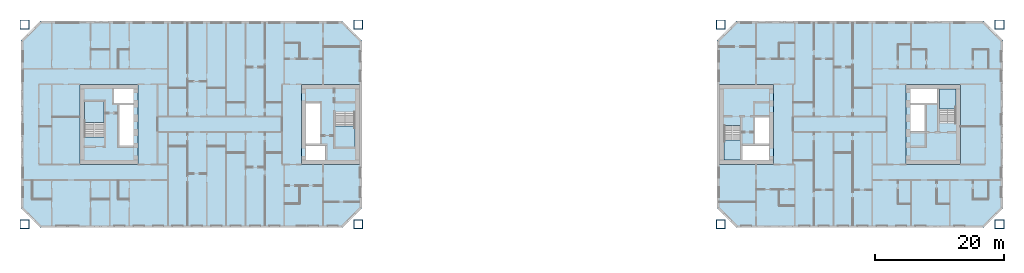
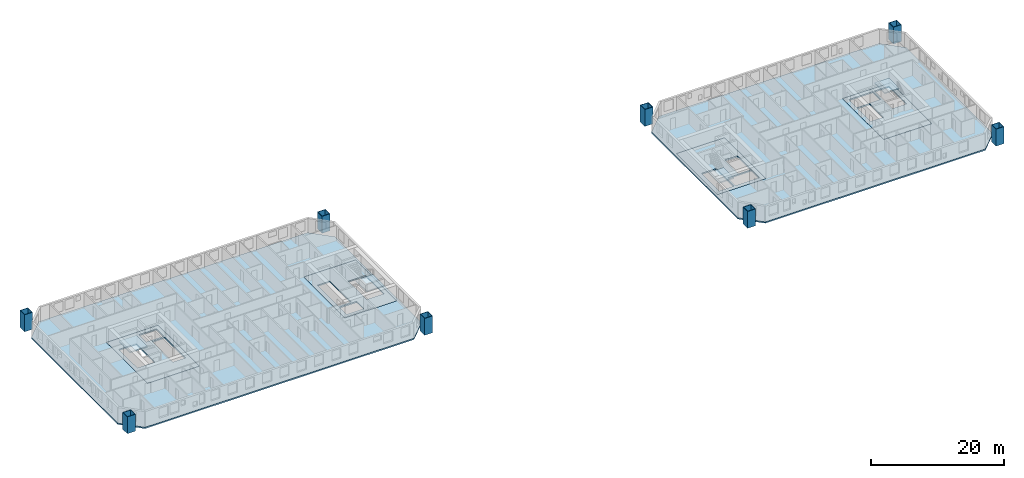
# One storey, part 1 of 17: 10 slabs, 8 columns, 4 elements without a shape of their own.
"""IFC4 building model written with IfcOpenShell, lengths in metres."""

from ifc_helpers import new_model, si_unit, direction, frame, origin, origin_2d, place, context, subcontext, project, spatial, polyline, hollow_rectangle, outline, extrude, material, layer, layer_set, material_profile, profile_set, type_object, element, aggregate, save


model = new_model("IFC4")

# Units and contexts
model_context = context("Model", 3, precision=1e-05, world=origin(), true_north=direction((0.0, 1.0)))
body_context = subcontext(model_context, "Body", "Model", "MODEL_VIEW")
ifc_project = project(units=[si_unit("LENGTHUNIT", "METRE"), si_unit("AREAUNIT", "SQUARE_METRE"), si_unit("VOLUMEUNIT", "CUBIC_METRE"), si_unit("PLANEANGLEUNIT", "RADIAN"), si_unit("MASSUNIT", "GRAM", prefix="KILO")], contexts=[model_context])

# Site, building, storey
site_placement = place(None, origin())
site = spatial("IfcSite", under=ifc_project, at=site_placement, CompositionType="ELEMENT")
building_placement = place(site_placement, origin())
building = spatial("IfcBuilding", under=site, at=building_placement, Name="Tuart Gate Housing", CompositionType="ELEMENT")
storey_placement = place(building_placement, frame((0.0, 0.0, 74.699951171875)))
storey = spatial("IfcBuildingStorey", under=building, at=storey_placement, Name="L20", CompositionType="ELEMENT", Elevation=74.699951171875)

# Columns
ifc_material_1 = material(Name="Steel Grade 350", Category="steel")
ifc_material_profile = material_profile(ifc_material_1, hollow_rectangle(XDim=1.39990234375, YDim=1.39990234375, WallThickness=0.074951171875, at=origin_2d()), Name="BOX 1400x1400x75")
ifc_profile_set = profile_set([ifc_material_profile], Name="Steel Grade 350")
column_type = type_object("IfcColumnType", Name="Mega column BOX 1400x1400x75", PredefinedType="COLUMN", material=ifc_profile_set)
for number, where, z_axis, x_axis, name in (
    (1, (23.800048828125, 54.550048828125, 0.0), (0.0, 0.0, 1.0), (1.0, 0.0, 0.0), "Mega column A south-west L20"),
    (2, (75.449951171875, 54.550048828125, 0.0), (0.0, 0.0, 1.0), (1.0, 0.0, 0.0), "Mega column A south-east L20"),
    (3, (75.449951171875, 85.449951171875, 0.0), (0.0, 0.0, 1.0), (1.0, 0.0, 0.0), "Mega column A north-east L20"),
    (4, (23.800048828125, 85.449951171875, 0.0), (0.0, 0.0, 1.0), (1.0, 0.0, 0.0), "Mega column A north-west L20"),
    (5, (131.550048828125, 54.550048828125, 0.0), (0.0, 0.0, 1.0), (1.0, 0.0, 0.0), "Mega column B south-west L20"),
    (6, (174.699951171875, 54.550048828125, 0.0), (0.0, 0.0, 1.0), (1.0, 0.0, 0.0), "Mega column B south-east L20"),
    (7, (174.699951171875, 85.449951171875, 0.0), (0.0, 0.0, 1.0), (1.0, 0.0, 0.0), "Mega column B north-east L20"),
    (8, (131.550048828125, 85.449951171875, 0.0), (0.0, 0.0, 1.0), (1.0, 0.0, 0.0), "Mega column B north-west L20"),
):
    element("IfcColumn", number, at=place(storey_placement, frame(where, z_axis=z_axis, x_axis=x_axis)), inside=storey, type_object=column_type, Name=name, PredefinedType="COLUMN", context=body_context, shape_type="SweptSolid", body=[
        extrude(hollow_rectangle(XDim=1.39990234375, YDim=1.39990234375, WallThickness=0.074951171875, at=origin_2d()), origin(), (0.0, 0.0, 1.0), 3.10009765625),
    ])

# Slabs
ifc_material_2 = material(Name="Concrete C40", Category="concrete")
ifc_layer_1 = layer(ifc_material_2, 0.25)
ifc_layer_set_1 = layer_set([ifc_layer_1], Name="Core floor slab 250")
slab_type_1 = type_object("IfcSlabType", Name="Core floor slab 250", PredefinedType="FLOOR", material=ifc_layer_set_1)
slab_1_placement = place(storey_placement, frame((0.0, 0.0, -0.25)))
element("IfcSlab", 9, at=slab_1_placement, inside=storey, type_object=slab_type_1, Name="Core floor AG", PredefinedType="FLOOR", context=body_context, shape_type="SweptSolid", body=[
    extrude(outline(polyline([(66.639892578125, 63.800048828125), (75.639892578125, 63.800048828125), (75.639892578125, 76.199951171875), (66.639892578125, 76.199951171875), (66.639892578125, 63.800048828125)]), holes=[polyline([(67.340087890625, 64.5), (70.360107421875, 64.5), (70.360107421875, 66.699951171875), (67.340087890625, 66.699951171875), (67.340087890625, 64.5)]), polyline([(67.340087890625, 67.0), (69.5400390625, 67.0), (69.5400390625, 73.300048828125), (67.340087890625, 73.300048828125), (67.340087890625, 67.0)]), polyline([(71.889892578125, 66.35009765625), (74.93994140625, 66.35009765625), (74.93994140625, 71.929931640625), (71.889892578125, 71.929931640625), (71.889892578125, 66.35009765625)])]), origin(), (0.0, 0.0, 1.0), 0.25),
])
slab_2_placement = place(storey_placement, frame((0.0, 0.0, -0.25)))
element("IfcSlab", 10, at=slab_2_placement, inside=storey, type_object=slab_type_1, Name="Core floor AK", PredefinedType="FLOOR", context=body_context, shape_type="SweptSolid", body=[
    extrude(outline(polyline([(32.360107421875, 63.800048828125), (41.360107421875, 63.800048828125), (41.360107421875, 76.199951171875), (32.360107421875, 76.199951171875), (32.360107421875, 63.800048828125)]), holes=[polyline([(40.659912109375, 75.5), (37.639892578125, 75.5), (37.639892578125, 73.300048828125), (40.659912109375, 73.300048828125), (40.659912109375, 75.5)]), polyline([(40.659912109375, 73.0), (38.4599609375, 73.0), (38.4599609375, 66.699951171875), (40.659912109375, 66.699951171875), (40.659912109375, 73.0)]), polyline([(36.110107421875, 73.64990234375), (33.06005859375, 73.64990234375), (33.06005859375, 68.070068359375), (36.110107421875, 68.070068359375), (36.110107421875, 73.64990234375)])]), origin(), (0.0, 0.0, 1.0), 0.25),
])
slab_3_placement = place(storey_placement, frame((0.0, 0.0, -0.25)))
element("IfcSlab", 11, at=slab_3_placement, inside=storey, type_object=slab_type_1, Name="Core floor BG", PredefinedType="FLOOR", context=body_context, shape_type="SweptSolid", body=[
    extrude(outline(polyline([(131.360107421875, 63.800048828125), (139.760009765625, 63.800048828125), (139.760009765625, 76.199951171875), (131.360107421875, 76.199951171875), (131.360107421875, 63.800048828125)]), holes=[polyline([(139.06005859375, 66.85009765625), (134.909912109375, 66.85009765625), (134.909912109375, 64.5), (139.06005859375, 64.5), (139.06005859375, 66.85009765625)]), polyline([(139.06005859375, 71.10009765625), (136.860107421875, 71.10009765625), (136.860107421875, 67.0), (139.06005859375, 67.0), (139.06005859375, 71.10009765625)]), polyline([(134.610107421875, 69.830078125), (132.06005859375, 69.830078125), (132.06005859375, 64.5), (134.610107421875, 64.5), (134.610107421875, 69.830078125)])]), origin(), (0.0, 0.0, 1.0), 0.25),
])
slab_4_placement = place(storey_placement, frame((0.0, 0.0, -0.25)))
element("IfcSlab", 12, at=slab_4_placement, inside=storey, type_object=slab_type_1, Name="Core floor BK", PredefinedType="FLOOR", context=body_context, shape_type="SweptSolid", body=[
    extrude(outline(polyline([(160.239990234375, 63.800048828125), (168.639892578125, 63.800048828125), (168.639892578125, 76.199951171875), (160.239990234375, 76.199951171875), (160.239990234375, 63.800048828125)]), holes=[polyline([(160.93994140625, 73.14990234375), (165.090087890625, 73.14990234375), (165.090087890625, 75.5), (160.93994140625, 75.5), (160.93994140625, 73.14990234375)]), polyline([(160.93994140625, 68.89990234375), (163.139892578125, 68.89990234375), (163.139892578125, 73.0), (160.93994140625, 73.0), (160.93994140625, 68.89990234375)]), polyline([(165.389892578125, 70.169921875), (167.93994140625, 70.169921875), (167.93994140625, 75.5), (165.389892578125, 75.5), (165.389892578125, 70.169921875)])]), origin(), (0.0, 0.0, 1.0), 0.25),
])
ifc_material_3 = material(Name="Concrete C40", Category="concrete")
ifc_layer_2 = layer(ifc_material_3, 0.25)
ifc_layer_set_2 = layer_set([ifc_layer_2], Name="Flat plate 250")
slab_type_2 = type_object("IfcSlabType", Name="Flat plate 250", PredefinedType="FLOOR", material=ifc_layer_set_2)
slab_5_placement = place(storey_placement, frame((0.0, 0.0, -0.25)))
element("IfcSlab", 13, at=slab_5_placement, inside=storey, type_object=slab_type_2, Name="Floor slab A L20", PredefinedType="FLOOR", context=body_context, shape_type="SweptSolid", body=[
    extrude(outline(polyline([(26.25, 86.0), (23.25, 83.0), (23.25, 57.0), (26.25, 54.0), (73.0, 54.0), (76.0, 57.0), (76.0, 83.0), (73.0, 86.0), (26.25, 86.0)]), holes=[polyline([(66.639892578125, 76.199951171875), (75.639892578125, 76.199951171875), (75.639892578125, 63.800048828125), (66.639892578125, 63.800048828125), (66.639892578125, 76.199951171875)]), polyline([(41.360107421875, 76.199951171875), (41.360107421875, 63.800048828125), (32.360107421875, 63.800048828125), (32.360107421875, 76.199951171875), (41.360107421875, 76.199951171875)])]), origin(), (0.0, 0.0, 1.0), 0.25),
])
slab_6_placement = place(storey_placement, frame((0.0, 0.0, -0.25)))
element("IfcSlab", 14, at=slab_6_placement, inside=storey, type_object=slab_type_2, Name="Floor slab B L20", PredefinedType="FLOOR", context=body_context, shape_type="SweptSolid", body=[
    extrude(outline(polyline([(134.0, 86.0), (131.0, 83.0), (131.0, 57.0), (134.0, 54.0), (172.25, 54.0), (175.25, 57.0), (175.25, 83.0), (172.25, 86.0), (134.0, 86.0)]), holes=[polyline([(131.360107421875, 76.199951171875), (139.760009765625, 76.199951171875), (139.760009765625, 63.800048828125), (131.360107421875, 63.800048828125), (131.360107421875, 76.199951171875)]), polyline([(168.639892578125, 76.199951171875), (168.639892578125, 63.800048828125), (160.239990234375, 63.800048828125), (160.239990234375, 76.199951171875), (168.639892578125, 76.199951171875)])]), origin(), (0.0, 0.0, 1.0), 0.25),
])

# Stair, slab
ifc_material_4 = material(Name="Concrete C40", Category="concrete")
stair_type_1 = type_object("IfcStairType", Name="Core stair 1500", PredefinedType="HALF_TURN_STAIR", material=ifc_material_4)
stair_1_placement = place(storey_placement, origin())
stair_1 = element("IfcStair", 15, at=stair_1_placement, inside=storey, type_object=stair_type_1, Name="Stair SA1", PredefinedType="HALF_TURN_STAIR")
ifc_material_5 = material(Name="Concrete C40", Category="concrete")
ifc_layer_3 = layer(ifc_material_5, 0.199951171875)
ifc_layer_set_3 = layer_set([ifc_layer_3], Name="Stair landing 200")
slab_type_3 = type_object("IfcSlabType", Name="Stair landing 200", PredefinedType="LANDING", material=ifc_layer_set_3)
slab_7_placement = place(storey_placement, frame((0.0, 0.0, 1.35009765625)))
slab_7 = element("IfcSlab", 16, at=slab_7_placement, type_object=slab_type_3, Name="SA1 landing 1", PredefinedType="LANDING", context=body_context, shape_type="SweptSolid", body=[
    extrude(outline(polyline([(71.889892578125, 66.35009765625), (74.93994140625, 66.35009765625), (74.93994140625, 69.7099609375), (71.889892578125, 69.7099609375), (71.889892578125, 66.35009765625)])), origin(), (0.0, 0.0, 1.0), 0.199951171875),
])
aggregate(stair_1, [slab_7])

stair_2_placement = place(storey_placement, origin())
stair_2 = element("IfcStair", 17, at=stair_2_placement, inside=storey, type_object=stair_type_1, Name="Stair SA2", PredefinedType="HALF_TURN_STAIR")
slab_8_placement = place(storey_placement, frame((0.0, 0.0, 1.35009765625)))
slab_8 = element("IfcSlab", 18, at=slab_8_placement, type_object=slab_type_3, Name="SA2 landing 1", PredefinedType="LANDING", context=body_context, shape_type="SweptSolid", body=[
    extrude(outline(polyline([(36.110107421875, 73.64990234375), (33.06005859375, 73.64990234375), (33.06005859375, 70.2900390625), (36.110107421875, 70.2900390625), (36.110107421875, 73.64990234375)])), origin(), (0.0, 0.0, 1.0), 0.199951171875),
])
aggregate(stair_2, [slab_8])

ifc_material_6 = material(Name="Concrete C40", Category="concrete")
stair_type_2 = type_object("IfcStairType", Name="Core stair 1250", PredefinedType="HALF_TURN_STAIR", material=ifc_material_6)
stair_3_placement = place(storey_placement, origin())
stair_3 = element("IfcStair", 19, at=stair_3_placement, inside=storey, type_object=stair_type_2, Name="Stair SB1", PredefinedType="HALF_TURN_STAIR")
slab_9_placement = place(storey_placement, frame((0.0, 0.0, 1.35009765625)))
slab_9 = element("IfcSlab", 20, at=slab_9_placement, type_object=slab_type_3, Name="SB1 landing 1", PredefinedType="LANDING", context=body_context, shape_type="SweptSolid", body=[
    extrude(outline(polyline([(134.610107421875, 67.610107421875), (132.06005859375, 67.610107421875), (132.06005859375, 64.5), (134.610107421875, 64.5), (134.610107421875, 67.610107421875)])), origin(), (0.0, 0.0, 1.0), 0.199951171875),
])
aggregate(stair_3, [slab_9])

stair_4_placement = place(storey_placement, origin())
stair_4 = element("IfcStair", 21, at=stair_4_placement, inside=storey, type_object=stair_type_2, Name="Stair SB2", PredefinedType="HALF_TURN_STAIR")
slab_10_placement = place(storey_placement, frame((0.0, 0.0, 1.35009765625)))
slab_10 = element("IfcSlab", 22, at=slab_10_placement, type_object=slab_type_3, Name="SB2 landing 1", PredefinedType="LANDING", context=body_context, shape_type="SweptSolid", body=[
    extrude(outline(polyline([(165.389892578125, 72.389892578125), (167.93994140625, 72.389892578125), (167.93994140625, 75.5), (165.389892578125, 75.5), (165.389892578125, 72.389892578125)])), origin(), (0.0, 0.0, 1.0), 0.199951171875),
])
aggregate(stair_4, [slab_10])

save(model, "model.ifc")
